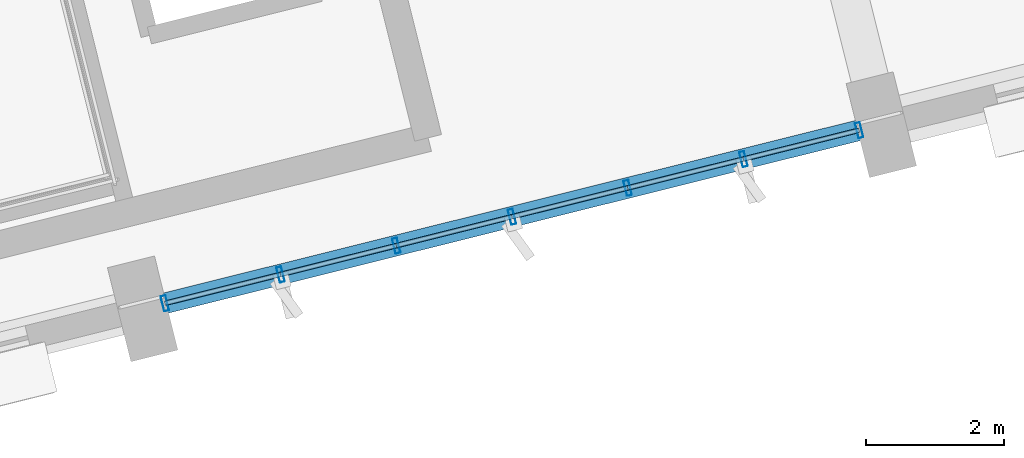
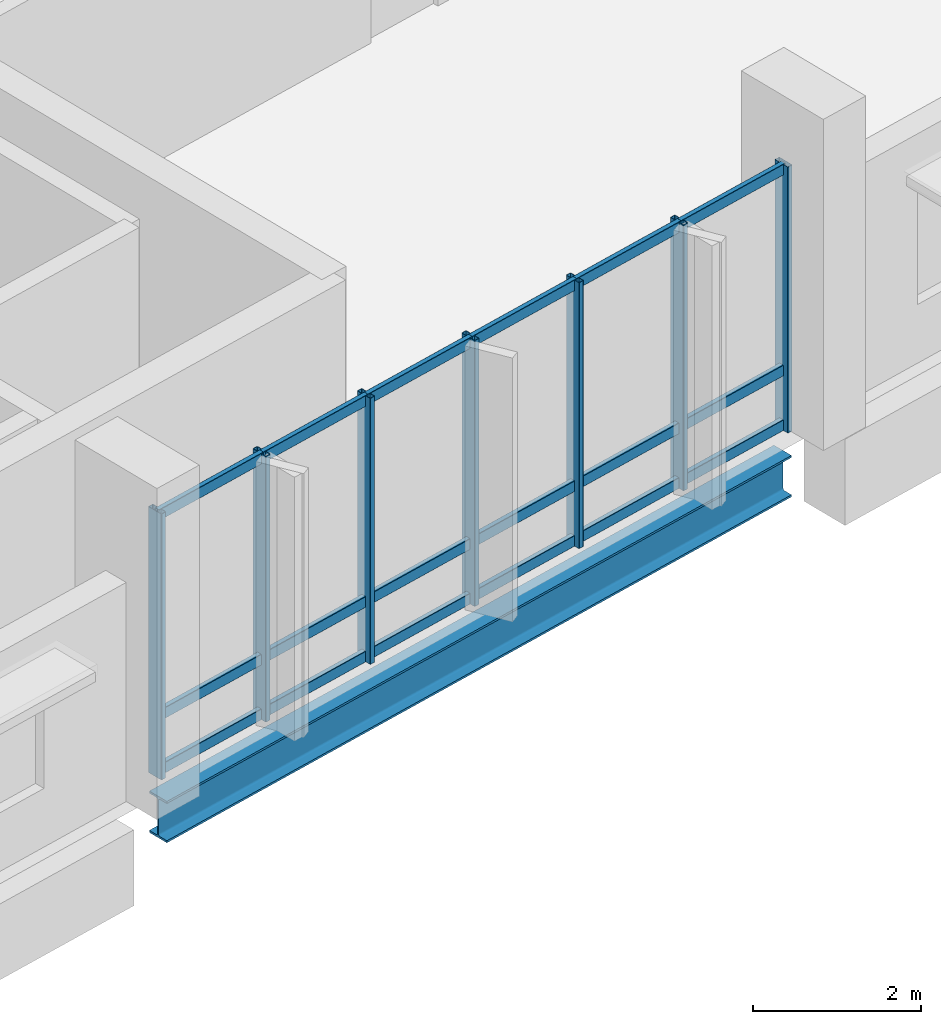
# One storey, part 76 of 137: 25 members, 1 beam, 1 element without a shape of its own.
"""IFC4 building model written with IfcOpenShell, lengths in metres."""

from ifc_helpers import new_model, si_unit, direction, frame, origin, origin_2d, place, context, subcontext, project, spatial, hollow_rectangle, i_section, extrude, material, layer, layer_set, material_profile, profile_set, type_object, element, aggregate, save


model = new_model("IFC4")

# Units and contexts
model_context = context("Model", 3, precision=1e-05, world=origin(), true_north=direction((0.0, 1.0)))
body_context = subcontext(model_context, "Body", "Model", "MODEL_VIEW")
ifc_project = project(units=[si_unit("LENGTHUNIT", "METRE"), si_unit("AREAUNIT", "SQUARE_METRE"), si_unit("VOLUMEUNIT", "CUBIC_METRE"), si_unit("PLANEANGLEUNIT", "RADIAN"), si_unit("MASSUNIT", "GRAM", prefix="KILO")], contexts=[model_context])

# Site, building, storey
site_placement = place(None, origin())
site = spatial("IfcSite", under=ifc_project, at=site_placement, CompositionType="ELEMENT")
building_placement = place(site_placement, origin())
building = spatial("IfcBuilding", under=site, at=building_placement, Name="Khorjan Park Terminus", CompositionType="ELEMENT")
storey_placement = place(building_placement, frame((0.0, 0.0, 11.4)))
storey = spatial("IfcBuildingStorey", under=building, at=storey_placement, Name="L02", CompositionType="ELEMENT", Elevation=11.4)

# Beam
ifc_material_1 = material(Name="Steel S355", Category="steel")
ifc_material_profile_1 = material_profile(ifc_material_1, i_section(OverallWidth=0.3, OverallDepth=0.6, WebThickness=0.0155, FlangeThickness=0.03, FilletRadius=0.027, at=origin_2d()), Name="HEB 600")
ifc_profile_set_1 = profile_set([ifc_material_profile_1], Name="Steel S355")
beam_type = type_object("IfcBeamType", Name="BM-HEB600", PredefinedType="BEAM", material=ifc_profile_set_1)
beam_placement = place(storey_placement, frame((209.0278, 12.728, -0.65), z_axis=(0.970295784153, 0.241921663468, 0.0), x_axis=(-0.241921663468, 0.970295784153, 0.0)))
element("IfcBeam", 1, at=beam_placement, inside=storey, type_object=beam_type, Name="Primary skew-grid floor girder SB-B60 (L02)", PredefinedType="BEAM", context=body_context, shape_type="SweptSolid", body=[
    extrude(i_section(OverallWidth=0.3, OverallDepth=0.6, WebThickness=0.0155, FlangeThickness=0.03, FilletRadius=0.027, at=origin_2d()), origin(), (0.0, 0.0, 1.0), 10.3099),
])

# Curtain wall, members
ifc_material_2 = material(Name="Anodized Bronze Aluminium", Category="aluminium")
ifc_layer = layer(ifc_material_2, 0.22)
ifc_layer_set = layer_set([ifc_layer], Name="Anodized Bronze Aluminium")
curtain_wall_type = type_object("IfcCurtainWallType", Name="CW-OPS-B", PredefinedType="NOTDEFINED", material=ifc_layer_set)
curtain_wall_placement = place(storey_placement, origin())
curtain_wall = element("IfcCurtainWall", 2, at=curtain_wall_placement, inside=storey, type_object=curtain_wall_type, Name="Unitized curtain wall CW-B (CW-V5-S-L02-B05)", PredefinedType="NOTDEFINED")
ifc_material_profile_2 = material_profile(ifc_material_2, hollow_rectangle(XDim=0.075, YDim=0.225, WallThickness=0.005, InnerFilletRadius=0.005, OuterFilletRadius=0.01, at=origin_2d()), Name="ALM 75x225x5")
ifc_profile_set_2 = profile_set([ifc_material_profile_2], Name="Anodized Bronze Aluminium")
member_type_1 = type_object("IfcMemberType", Name="ML-ALM-225", PredefinedType="MULLION", material=ifc_profile_set_2)
member_1_placement = place(storey_placement, frame((209.0133, 12.7245, -0.035), z_axis=(0.0, 0.0, 1.0), x_axis=(0.970298180833, 0.241912050695, 0.0)))
member_1 = element("IfcMember", 3, at=member_1_placement, type_object=member_type_1, Name="Curtain-wall mullion ML-22 (CW-V5-S-L02-B05-0)", PredefinedType="MULLION", context=body_context, shape_type="SweptSolid", body=[
    extrude(hollow_rectangle(XDim=0.075, YDim=0.225, WallThickness=0.005, InnerFilletRadius=0.005, OuterFilletRadius=0.01, at=origin_2d()), origin(), (0.0, 0.0, 1.0), 3.855),
])
member_2_placement = place(storey_placement, frame((210.6854, 13.1414, -0.035), z_axis=(0.0, 0.0, 1.0), x_axis=(0.970298180833, 0.241912050695, 0.0)))
member_2 = element("IfcMember", 4, at=member_2_placement, type_object=member_type_1, Name="Curtain-wall mullion ML-22 (CW-V5-S-L02-B05-1)", PredefinedType="MULLION", context=body_context, shape_type="SweptSolid", body=[
    extrude(hollow_rectangle(XDim=0.075, YDim=0.225, WallThickness=0.005, InnerFilletRadius=0.005, OuterFilletRadius=0.01, at=origin_2d()), origin(), (0.0, 0.0, 1.0), 3.855),
])
member_3_placement = place(storey_placement, frame((212.3575, 13.5583, -0.035), z_axis=(0.0, 0.0, 1.0), x_axis=(0.970298180833, 0.241912050695, 0.0)))
member_3 = element("IfcMember", 5, at=member_3_placement, type_object=member_type_1, Name="Curtain-wall mullion ML-22 (CW-V5-S-L02-B05-2)", PredefinedType="MULLION", context=body_context, shape_type="SweptSolid", body=[
    extrude(hollow_rectangle(XDim=0.075, YDim=0.225, WallThickness=0.005, InnerFilletRadius=0.005, OuterFilletRadius=0.01, at=origin_2d()), origin(), (0.0, 0.0, 1.0), 3.855),
])
member_4_placement = place(storey_placement, frame((214.0296, 13.9751, -0.035), z_axis=(0.0, 0.0, 1.0), x_axis=(0.970298180833, 0.241912050695, 0.0)))
member_4 = element("IfcMember", 6, at=member_4_placement, type_object=member_type_1, Name="Curtain-wall mullion ML-22 (CW-V5-S-L02-B05-3)", PredefinedType="MULLION", context=body_context, shape_type="SweptSolid", body=[
    extrude(hollow_rectangle(XDim=0.075, YDim=0.225, WallThickness=0.005, InnerFilletRadius=0.005, OuterFilletRadius=0.01, at=origin_2d()), origin(), (0.0, 0.0, 1.0), 3.855),
])
member_5_placement = place(storey_placement, frame((215.7017, 14.392, -0.035), z_axis=(0.0, 0.0, 1.0), x_axis=(0.970298180833, 0.241912050695, 0.0)))
member_5 = element("IfcMember", 7, at=member_5_placement, type_object=member_type_1, Name="Curtain-wall mullion ML-22 (CW-V5-S-L02-B05-4)", PredefinedType="MULLION", context=body_context, shape_type="SweptSolid", body=[
    extrude(hollow_rectangle(XDim=0.075, YDim=0.225, WallThickness=0.005, InnerFilletRadius=0.005, OuterFilletRadius=0.01, at=origin_2d()), origin(), (0.0, 0.0, 1.0), 3.855),
])
member_6_placement = place(storey_placement, frame((217.3738, 14.8089, -0.035), z_axis=(0.0, 0.0, 1.0), x_axis=(0.970298180833, 0.241912050695, 0.0)))
member_6 = element("IfcMember", 8, at=member_6_placement, type_object=member_type_1, Name="Curtain-wall mullion ML-22 (CW-V5-S-L02-B05-5)", PredefinedType="MULLION", context=body_context, shape_type="SweptSolid", body=[
    extrude(hollow_rectangle(XDim=0.075, YDim=0.225, WallThickness=0.005, InnerFilletRadius=0.005, OuterFilletRadius=0.01, at=origin_2d()), origin(), (0.0, 0.0, 1.0), 3.855),
])
member_7_placement = place(storey_placement, frame((219.0459, 15.2258, -0.035), z_axis=(0.0, 0.0, 1.0), x_axis=(0.970298180833, 0.241912050695, 0.0)))
member_7 = element("IfcMember", 9, at=member_7_placement, type_object=member_type_1, Name="Curtain-wall mullion ML-22 (CW-V5-S-L02-B05-6)", PredefinedType="MULLION", context=body_context, shape_type="SweptSolid", body=[
    extrude(hollow_rectangle(XDim=0.075, YDim=0.225, WallThickness=0.005, InnerFilletRadius=0.005, OuterFilletRadius=0.01, at=origin_2d()), origin(), (0.0, 0.0, 1.0), 3.855),
])
ifc_material_profile_3 = material_profile(ifc_material_2, hollow_rectangle(XDim=0.07, YDim=0.16, WallThickness=0.004, InnerFilletRadius=0.004, OuterFilletRadius=0.008, at=origin_2d()), Name="ALT 70x160x4")
ifc_profile_set_3 = profile_set([ifc_material_profile_3], Name="Anodized Bronze Aluminium")
member_type_2 = type_object("IfcMemberType", Name="TR-ALT-160", PredefinedType="USERDEFINED", material=ifc_profile_set_3)
member_8_placement = place(storey_placement, frame((209.0133, 12.7245, 0.04), z_axis=(0.970295910649, 0.241921156121, 0.0), x_axis=(-0.241921156121, 0.970295910649, 0.0)))
member_8 = element("IfcMember", 10, at=member_8_placement, type_object=member_type_2, Name="Curtain-wall transom TR-16 (CW-V5-S-L02-B05-0-1)", ObjectType="TRANSOM", PredefinedType="USERDEFINED", context=body_context, shape_type="SweptSolid", body=[
    extrude(hollow_rectangle(XDim=0.07, YDim=0.16, WallThickness=0.004, InnerFilletRadius=0.004, OuterFilletRadius=0.008, at=origin_2d()), origin(), (0.0, 0.0, 1.0), 1.7233),
])
member_9_placement = place(storey_placement, frame((209.0133, 12.7245, 0.833), z_axis=(0.970295910649, 0.241921156121, 0.0), x_axis=(-0.241921156121, 0.970295910649, 0.0)))
member_9 = element("IfcMember", 11, at=member_9_placement, type_object=member_type_2, Name="Curtain-wall transom TR-16 (CW-V5-S-L02-B05-0-2)", ObjectType="TRANSOM", PredefinedType="USERDEFINED", context=body_context, shape_type="SweptSolid", body=[
    extrude(hollow_rectangle(XDim=0.07, YDim=0.16, WallThickness=0.004, InnerFilletRadius=0.004, OuterFilletRadius=0.008, at=origin_2d()), origin(), (0.0, 0.0, 1.0), 1.7233),
])
member_10_placement = place(storey_placement, frame((209.0133, 12.7245, 3.745), z_axis=(0.970295910649, 0.241921156121, 0.0), x_axis=(-0.241921156121, 0.970295910649, 0.0)))
member_10 = element("IfcMember", 12, at=member_10_placement, type_object=member_type_2, Name="Curtain-wall transom TR-16 (CW-V5-S-L02-B05-0-3)", ObjectType="TRANSOM", PredefinedType="USERDEFINED", context=body_context, shape_type="SweptSolid", body=[
    extrude(hollow_rectangle(XDim=0.07, YDim=0.16, WallThickness=0.004, InnerFilletRadius=0.004, OuterFilletRadius=0.008, at=origin_2d()), origin(), (0.0, 0.0, 1.0), 1.7233),
])
member_11_placement = place(storey_placement, frame((210.6854, 13.1414, 0.04), z_axis=(0.970295910649, 0.241921156121, 0.0), x_axis=(-0.241921156121, 0.970295910649, 0.0)))
member_11 = element("IfcMember", 13, at=member_11_placement, type_object=member_type_2, Name="Curtain-wall transom TR-16 (CW-V5-S-L02-B05-1-1)", ObjectType="TRANSOM", PredefinedType="USERDEFINED", context=body_context, shape_type="SweptSolid", body=[
    extrude(hollow_rectangle(XDim=0.07, YDim=0.16, WallThickness=0.004, InnerFilletRadius=0.004, OuterFilletRadius=0.008, at=origin_2d()), origin(), (0.0, 0.0, 1.0), 1.7233),
])
member_12_placement = place(storey_placement, frame((210.6854, 13.1414, 0.833), z_axis=(0.970295910649, 0.241921156121, 0.0), x_axis=(-0.241921156121, 0.970295910649, 0.0)))
member_12 = element("IfcMember", 14, at=member_12_placement, type_object=member_type_2, Name="Curtain-wall transom TR-16 (CW-V5-S-L02-B05-1-2)", ObjectType="TRANSOM", PredefinedType="USERDEFINED", context=body_context, shape_type="SweptSolid", body=[
    extrude(hollow_rectangle(XDim=0.07, YDim=0.16, WallThickness=0.004, InnerFilletRadius=0.004, OuterFilletRadius=0.008, at=origin_2d()), origin(), (0.0, 0.0, 1.0), 1.7233),
])
member_13_placement = place(storey_placement, frame((210.6854, 13.1414, 3.745), z_axis=(0.970295910649, 0.241921156121, 0.0), x_axis=(-0.241921156121, 0.970295910649, 0.0)))
member_13 = element("IfcMember", 15, at=member_13_placement, type_object=member_type_2, Name="Curtain-wall transom TR-16 (CW-V5-S-L02-B05-1-3)", ObjectType="TRANSOM", PredefinedType="USERDEFINED", context=body_context, shape_type="SweptSolid", body=[
    extrude(hollow_rectangle(XDim=0.07, YDim=0.16, WallThickness=0.004, InnerFilletRadius=0.004, OuterFilletRadius=0.008, at=origin_2d()), origin(), (0.0, 0.0, 1.0), 1.7233),
])
member_14_placement = place(storey_placement, frame((212.3575, 13.5583, 0.04), z_axis=(0.970309530647, 0.241866522561, 0.0), x_axis=(-0.241866522561, 0.970309530647, 0.0)))
member_14 = element("IfcMember", 16, at=member_14_placement, type_object=member_type_2, Name="Curtain-wall transom TR-16 (CW-V5-S-L02-B05-2-1)", ObjectType="TRANSOM", PredefinedType="USERDEFINED", context=body_context, shape_type="SweptSolid", body=[
    extrude(hollow_rectangle(XDim=0.07, YDim=0.16, WallThickness=0.004, InnerFilletRadius=0.004, OuterFilletRadius=0.008, at=origin_2d()), origin(), (0.0, 0.0, 1.0), 1.7233),
])
member_15_placement = place(storey_placement, frame((212.3575, 13.5583, 0.833), z_axis=(0.970309530647, 0.241866522561, 0.0), x_axis=(-0.241866522561, 0.970309530647, 0.0)))
member_15 = element("IfcMember", 17, at=member_15_placement, type_object=member_type_2, Name="Curtain-wall transom TR-16 (CW-V5-S-L02-B05-2-2)", ObjectType="TRANSOM", PredefinedType="USERDEFINED", context=body_context, shape_type="SweptSolid", body=[
    extrude(hollow_rectangle(XDim=0.07, YDim=0.16, WallThickness=0.004, InnerFilletRadius=0.004, OuterFilletRadius=0.008, at=origin_2d()), origin(), (0.0, 0.0, 1.0), 1.7233),
])
member_16_placement = place(storey_placement, frame((212.3575, 13.5583, 3.745), z_axis=(0.970309530647, 0.241866522561, 0.0), x_axis=(-0.241866522561, 0.970309530647, 0.0)))
member_16 = element("IfcMember", 18, at=member_16_placement, type_object=member_type_2, Name="Curtain-wall transom TR-16 (CW-V5-S-L02-B05-2-3)", ObjectType="TRANSOM", PredefinedType="USERDEFINED", context=body_context, shape_type="SweptSolid", body=[
    extrude(hollow_rectangle(XDim=0.07, YDim=0.16, WallThickness=0.004, InnerFilletRadius=0.004, OuterFilletRadius=0.008, at=origin_2d()), origin(), (0.0, 0.0, 1.0), 1.7233),
])
member_17_placement = place(storey_placement, frame((214.0296, 13.9751, 0.04), z_axis=(0.970295910649, 0.241921156121, 0.0), x_axis=(-0.241921156121, 0.970295910649, 0.0)))
member_17 = element("IfcMember", 19, at=member_17_placement, type_object=member_type_2, Name="Curtain-wall transom TR-16 (CW-V5-S-L02-B05-3-1)", ObjectType="TRANSOM", PredefinedType="USERDEFINED", context=body_context, shape_type="SweptSolid", body=[
    extrude(hollow_rectangle(XDim=0.07, YDim=0.16, WallThickness=0.004, InnerFilletRadius=0.004, OuterFilletRadius=0.008, at=origin_2d()), origin(), (0.0, 0.0, 1.0), 1.7233),
])
member_18_placement = place(storey_placement, frame((214.0296, 13.9751, 0.833), z_axis=(0.970295910649, 0.241921156121, 0.0), x_axis=(-0.241921156121, 0.970295910649, 0.0)))
member_18 = element("IfcMember", 20, at=member_18_placement, type_object=member_type_2, Name="Curtain-wall transom TR-16 (CW-V5-S-L02-B05-3-2)", ObjectType="TRANSOM", PredefinedType="USERDEFINED", context=body_context, shape_type="SweptSolid", body=[
    extrude(hollow_rectangle(XDim=0.07, YDim=0.16, WallThickness=0.004, InnerFilletRadius=0.004, OuterFilletRadius=0.008, at=origin_2d()), origin(), (0.0, 0.0, 1.0), 1.7233),
])
member_19_placement = place(storey_placement, frame((214.0296, 13.9751, 3.745), z_axis=(0.970295910649, 0.241921156121, 0.0), x_axis=(-0.241921156121, 0.970295910649, 0.0)))
member_19 = element("IfcMember", 21, at=member_19_placement, type_object=member_type_2, Name="Curtain-wall transom TR-16 (CW-V5-S-L02-B05-3-3)", ObjectType="TRANSOM", PredefinedType="USERDEFINED", context=body_context, shape_type="SweptSolid", body=[
    extrude(hollow_rectangle(XDim=0.07, YDim=0.16, WallThickness=0.004, InnerFilletRadius=0.004, OuterFilletRadius=0.008, at=origin_2d()), origin(), (0.0, 0.0, 1.0), 1.7233),
])
member_20_placement = place(storey_placement, frame((215.7017, 14.392, 0.04), z_axis=(0.970295910649, 0.241921156121, 0.0), x_axis=(-0.241921156121, 0.970295910649, 0.0)))
member_20 = element("IfcMember", 22, at=member_20_placement, type_object=member_type_2, Name="Curtain-wall transom TR-16 (CW-V5-S-L02-B05-4-1)", ObjectType="TRANSOM", PredefinedType="USERDEFINED", context=body_context, shape_type="SweptSolid", body=[
    extrude(hollow_rectangle(XDim=0.07, YDim=0.16, WallThickness=0.004, InnerFilletRadius=0.004, OuterFilletRadius=0.008, at=origin_2d()), origin(), (0.0, 0.0, 1.0), 1.7233),
])
member_21_placement = place(storey_placement, frame((215.7017, 14.392, 0.833), z_axis=(0.970295910649, 0.241921156121, 0.0), x_axis=(-0.241921156121, 0.970295910649, 0.0)))
member_21 = element("IfcMember", 23, at=member_21_placement, type_object=member_type_2, Name="Curtain-wall transom TR-16 (CW-V5-S-L02-B05-4-2)", ObjectType="TRANSOM", PredefinedType="USERDEFINED", context=body_context, shape_type="SweptSolid", body=[
    extrude(hollow_rectangle(XDim=0.07, YDim=0.16, WallThickness=0.004, InnerFilletRadius=0.004, OuterFilletRadius=0.008, at=origin_2d()), origin(), (0.0, 0.0, 1.0), 1.7233),
])
member_22_placement = place(storey_placement, frame((215.7017, 14.392, 3.745), z_axis=(0.970295910649, 0.241921156121, 0.0), x_axis=(-0.241921156121, 0.970295910649, 0.0)))
member_22 = element("IfcMember", 24, at=member_22_placement, type_object=member_type_2, Name="Curtain-wall transom TR-16 (CW-V5-S-L02-B05-4-3)", ObjectType="TRANSOM", PredefinedType="USERDEFINED", context=body_context, shape_type="SweptSolid", body=[
    extrude(hollow_rectangle(XDim=0.07, YDim=0.16, WallThickness=0.004, InnerFilletRadius=0.004, OuterFilletRadius=0.008, at=origin_2d()), origin(), (0.0, 0.0, 1.0), 1.7233),
])
member_23_placement = place(storey_placement, frame((217.3738, 14.8089, 0.04), z_axis=(0.970295910649, 0.241921156121, 0.0), x_axis=(-0.241921156121, 0.970295910649, 0.0)))
member_23 = element("IfcMember", 25, at=member_23_placement, type_object=member_type_2, Name="Curtain-wall transom TR-16 (CW-V5-S-L02-B05-5-1)", ObjectType="TRANSOM", PredefinedType="USERDEFINED", context=body_context, shape_type="SweptSolid", body=[
    extrude(hollow_rectangle(XDim=0.07, YDim=0.16, WallThickness=0.004, InnerFilletRadius=0.004, OuterFilletRadius=0.008, at=origin_2d()), origin(), (0.0, 0.0, 1.0), 1.7233),
])
member_24_placement = place(storey_placement, frame((217.3738, 14.8089, 0.833), z_axis=(0.970295910649, 0.241921156121, 0.0), x_axis=(-0.241921156121, 0.970295910649, 0.0)))
member_24 = element("IfcMember", 26, at=member_24_placement, type_object=member_type_2, Name="Curtain-wall transom TR-16 (CW-V5-S-L02-B05-5-2)", ObjectType="TRANSOM", PredefinedType="USERDEFINED", context=body_context, shape_type="SweptSolid", body=[
    extrude(hollow_rectangle(XDim=0.07, YDim=0.16, WallThickness=0.004, InnerFilletRadius=0.004, OuterFilletRadius=0.008, at=origin_2d()), origin(), (0.0, 0.0, 1.0), 1.7233),
])
member_25_placement = place(storey_placement, frame((217.3738, 14.8089, 3.745), z_axis=(0.970295910649, 0.241921156121, 0.0), x_axis=(-0.241921156121, 0.970295910649, 0.0)))
member_25 = element("IfcMember", 27, at=member_25_placement, type_object=member_type_2, Name="Curtain-wall transom TR-16 (CW-V5-S-L02-B05-5-3)", ObjectType="TRANSOM", PredefinedType="USERDEFINED", context=body_context, shape_type="SweptSolid", body=[
    extrude(hollow_rectangle(XDim=0.07, YDim=0.16, WallThickness=0.004, InnerFilletRadius=0.004, OuterFilletRadius=0.008, at=origin_2d()), origin(), (0.0, 0.0, 1.0), 1.7233),
])
aggregate(curtain_wall, [member_1, member_2, member_3, member_4, member_5, member_6, member_7, member_8, member_9, member_10, member_11, member_12, member_13, member_14, member_15, member_16, member_17, member_18, member_19, member_20, member_21, member_22, member_23, member_24, member_25])

save(model, "model.ifc")
